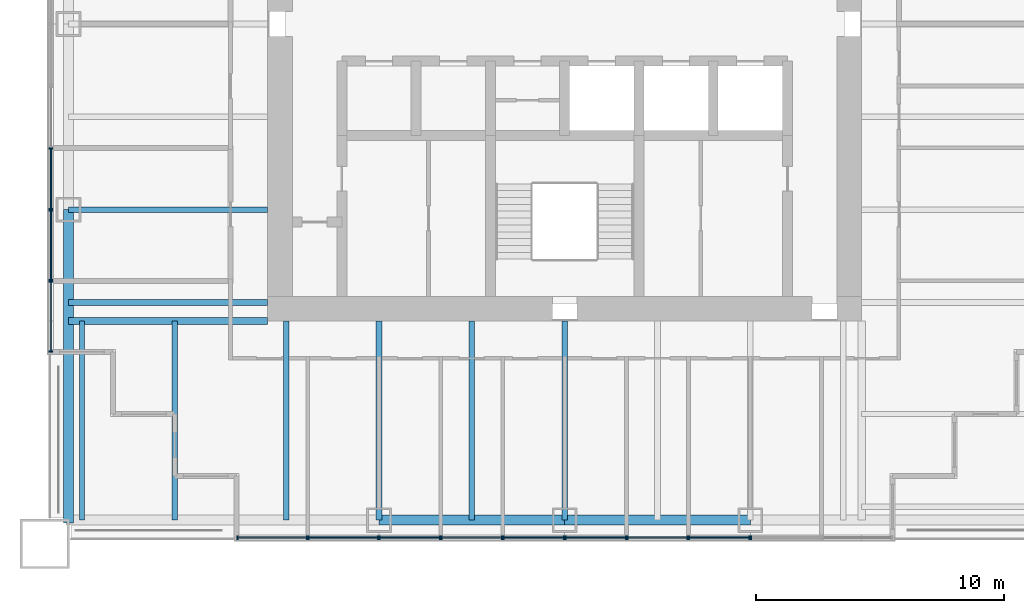
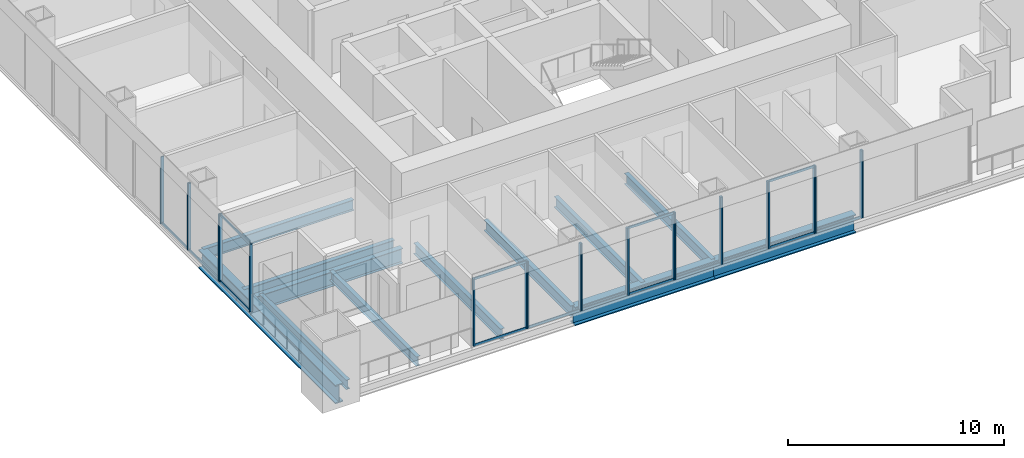
# One storey, part 2 of 15: 38 members, 12 beams, 12 elements without a shape of their own.
"""IFC4 building model written with IfcOpenShell, lengths in metres."""

import ifcopenshell
import ifcopenshell.guid

model = None  # the IFC model being written
_history = None  # IfcOwnerHistory: only IFC2X3 demands one
_inside = {}  # id of a spatial element -> (the spatial element, [elements in it])
_under = {}  # id of a project, library or spatial element -> (it, [spatial elements below it])
_declared = {}  # id of a project -> (the project, [libraries it declares])
_typed = {}  # id of a type object -> (the type object, [elements of that type])
_made_of = {}  # id of a material, layer set ... -> (it, [elements and type objects made of it])


def new_model(schema):
    """Start an empty IFC model of exactly this schema.

    Asked for "IFC4X3", IfcOpenShell would pick the latest addendum, in which some entities
    have other attributes; the version numbers below select the first issue.
    IFC2X3 requires an IfcOwnerHistory on every rooted entity: one is made here for all.
    """
    global model, _history
    if schema == "IFC4X3":
        model = ifcopenshell.file(schema_version=(4, 3, 0, 0))
    else:
        model = ifcopenshell.file(schema=schema)
    _inside.clear()
    _under.clear()
    _declared.clear()
    _typed.clear()
    _made_of.clear()
    _history = None
    if model.schema == "IFC2X3":
        org = make("IfcOrganization", Name="unknown")
        user = make(
            "IfcPersonAndOrganization",
            ThePerson=make("IfcPerson", FamilyName="unknown"),
            TheOrganization=org,
        )
        app = make(
            "IfcApplication",
            ApplicationDeveloper=org,
            Version="unknown",
            ApplicationFullName="unknown",
            ApplicationIdentifier="unknown",
        )
        _history = make(
            "IfcOwnerHistory",
            OwningUser=user,
            OwningApplication=app,
            ChangeAction="ADDED",
            CreationDate=0,
        )
    return model


def make(cls, **values):
    """One entity of the class cls with the attributes given. An attribute that is None is left unset."""
    return model.create_entity(
        cls, **{name: value for name, value in values.items() if value is not None}
    )


def rooted(cls, **values):
    """An entity with a GlobalId (a new one), such as an element, a storey or a relation."""
    return make(cls, GlobalId=ifcopenshell.guid.new(), OwnerHistory=_history, **values)


def si_unit(unit_type, name, prefix=None):
    """IfcSIUnit, for example si_unit("LENGTHUNIT", "METRE", prefix="MILLI")."""
    return make("IfcSIUnit", UnitType=unit_type, Prefix=prefix, Name=name)


def assignment(units):
    """IfcUnitAssignment: the units of a project."""
    return None if units is None else make("IfcUnitAssignment", Units=units)


def point(xyz):
    """IfcCartesianPoint."""
    return None if xyz is None else make("IfcCartesianPoint", Coordinates=xyz)


def direction(xyz):
    """IfcDirection."""
    return None if xyz is None else make("IfcDirection", DirectionRatios=xyz)


def frame(location, z_axis=None, x_axis=None):
    """IfcAxis2Placement3D, a coordinate frame: its origin and axes. An axis left out is left unset."""
    return make(
        "IfcAxis2Placement3D",
        Location=point(location),
        Axis=direction(z_axis),
        RefDirection=direction(x_axis),
    )


def frame_2d(location, x_axis=None):
    """IfcAxis2Placement2D, a coordinate frame in the plane: its origin and x axis."""
    return make(
        "IfcAxis2Placement2D", Location=point(location), RefDirection=direction(x_axis)
    )


def origin():
    """The frame at (0, 0, 0) with its axes left unset."""
    return frame((0.0, 0.0, 0.0))


def origin_2d():
    """The frame at (0, 0) in the plane with its x axis left unset."""
    return frame_2d((0.0, 0.0))


def place(relative_to, where):
    """IfcLocalPlacement: puts the frame where relative to a parent placement (None: the world)."""
    return make(
        "IfcLocalPlacement", PlacementRelTo=relative_to, RelativePlacement=where
    )


def context(
    kind, dimensions, precision=None, world=None, true_north=None, identifier=None
):
    """IfcGeometricRepresentationContext, for example the 3D "Model" context."""
    return make(
        "IfcGeometricRepresentationContext",
        ContextIdentifier=identifier,
        ContextType=kind,
        CoordinateSpaceDimension=dimensions,
        Precision=precision,
        WorldCoordinateSystem=world,
        TrueNorth=true_north,
    )


def subcontext(parent, identifier, kind, view, scale=None):
    """IfcGeometricRepresentationSubContext, for example "Body" below "Model"."""
    return make(
        "IfcGeometricRepresentationSubContext",
        ContextIdentifier=identifier,
        ContextType=kind,
        ParentContext=parent,
        TargetScale=scale,
        TargetView=view,
    )


def project(units=None, contexts=None):
    """IfcProject with its units and contexts."""
    return rooted(
        "IfcProject",
        Name="project",
        RepresentationContexts=contexts,
        UnitsInContext=assignment(units),
    )


def spatial(cls, under=None, at=None, **own):
    """A site, building, storey or space (cls), placed at a placement, below another one or the project."""
    s = rooted(cls, ObjectPlacement=at, **own)
    if under is not None:
        _under.setdefault(under.id(), (under, []))[1].append(s)
    return s


def profile(cls, at=None, kind="AREA", **sizes):
    """A parametric profile (cls). Its sizes go by their IFC names, for example OverallWidth=200.0."""
    return make(cls, ProfileType=kind, Position=at, **sizes)


def rectangle(**sizes):
    """IfcRectangleProfileDef."""
    return profile("IfcRectangleProfileDef", **sizes)


def i_section(**sizes):
    """IfcIShapeProfileDef."""
    return profile("IfcIShapeProfileDef", **sizes)


def extrude(swept, where, along, depth):
    """IfcExtrudedAreaSolid: the profile swept, set in the frame where, extruded along a direction by depth."""
    return make(
        "IfcExtrudedAreaSolid",
        SweptArea=swept,
        Position=where,
        ExtrudedDirection=direction(along),
        Depth=depth,
    )


def shape(context_of_items, identifier, shape_type, items):
    """IfcShapeRepresentation: the items that make up one representation, for example the "Body"."""
    return make(
        "IfcShapeRepresentation",
        ContextOfItems=context_of_items,
        RepresentationIdentifier=identifier,
        RepresentationType=shape_type,
        Items=items,
    )


def material(Name=None, Category=None):
    """IfcMaterial."""
    return make("IfcMaterial", Name=Name, Category=Category)


def material_profile(
    of_material, cross_section, Name=None, Category=None, Priority=None
):
    """IfcMaterialProfile: a cross section and its material."""
    return make(
        "IfcMaterialProfile",
        Name=Name,
        Material=of_material,
        Profile=cross_section,
        Priority=Priority,
        Category=Category,
    )


def profile_set(profiles, Name=None, composite=None):
    """IfcMaterialProfileSet."""
    return make(
        "IfcMaterialProfileSet",
        Name=Name,
        MaterialProfiles=profiles,
        CompositeProfile=composite,
    )


def made_of(thing, what):
    """Note that an element or type object is made of a material, layer set ...; save() writes the relation."""
    if what is not None:
        _made_of.setdefault(what.id(), (what, []))[1].append(thing)
    return thing


def type_object(cls, material=None, **own):
    """A type object (cls), such as IfcWallType, which elements share."""
    return made_of(rooted(cls, **own), material)


def element(
    cls,
    number,
    at=None,
    inside=None,
    cuts=None,
    type_object=None,
    material=None,
    context=None,
    identifier="Body",
    shape_type=None,
    held_by="IfcProductDefinitionShape",
    body=None,
    shapes=None,
    **own,
):
    """One element of the class cls, such as IfcWall. Its Tag is "e" and its number.

    at: its placement. inside: the storey or other place that contains it. cuts: it is an
    opening in that element (IfcRelVoidsElement). A single representation is given by context,
    identifier, shape_type and body (its items); several are given by shapes. held_by: the class
    of the entity that holds the representations. save() writes the other relations.
    """
    e = rooted(cls, Tag="e%d" % number, ObjectPlacement=at, **own)
    if body is not None:
        shapes = [shape(context, identifier, shape_type, body)]
    if shapes is not None:
        e.Representation = make(held_by, Representations=shapes)
    if inside is not None:
        _inside.setdefault(inside.id(), (inside, []))[1].append(e)
    if cuts is not None:
        rooted(
            "IfcRelVoidsElement", RelatingBuildingElement=cuts, RelatedOpeningElement=e
        )
    if type_object is not None:
        _typed.setdefault(type_object.id(), (type_object, []))[1].append(e)
    return made_of(e, material)


def aggregate(whole, parts):
    """IfcRelAggregates: a whole, such as a stair, and the parts it consists of."""
    return rooted("IfcRelAggregates", RelatingObject=whole, RelatedObjects=parts)


def save(model, path):
    """Write the relations noted so far, then the file.

    IfcRelAggregates (storeys below a building ...), IfcRelContainedInSpatialStructure (elements
    in a storey), IfcRelDefinesByType, IfcRelAssociatesMaterial and IfcRelDeclares: one each for
    every whole, place, type object, material and project.
    """
    for whole, parts in _under.values():
        aggregate(whole, parts)
    for where, things in _inside.values():
        rooted(
            "IfcRelContainedInSpatialStructure",
            RelatedElements=things,
            RelatingStructure=where,
        )
    for kind, things in _typed.values():
        rooted("IfcRelDefinesByType", RelatedObjects=things, RelatingType=kind)
    for what, things in _made_of.values():
        rooted("IfcRelAssociatesMaterial", RelatedObjects=things, RelatingMaterial=what)
    for by, libraries in _declared.values():
        rooted("IfcRelDeclares", RelatingContext=by, RelatedDefinitions=libraries)
    model.write(path)


model = new_model("IFC4")

# Units and contexts
model_context = context("Model", 3, precision=1e-05, world=origin(), true_north=direction((0.0, 1.0)))
body_context = subcontext(model_context, "Body", "Model", "MODEL_VIEW")
ifc_project = project(units=[si_unit("LENGTHUNIT", "METRE"), si_unit("AREAUNIT", "SQUARE_METRE"), si_unit("VOLUMEUNIT", "CUBIC_METRE"), si_unit("PLANEANGLEUNIT", "RADIAN"), si_unit("MASSUNIT", "GRAM", prefix="KILO")], contexts=[model_context])

# Site, building, storey
site_placement = place(None, origin())
site = spatial("IfcSite", under=ifc_project, at=site_placement, CompositionType="ELEMENT")
building_placement = place(site_placement, origin())
building = spatial("IfcBuilding", under=site, at=building_placement, Name="Tarangal Relay Tower", CompositionType="ELEMENT")
storey_placement = place(building_placement, frame((0.0, 0.0, 331.89990234375)))
storey = spatial("IfcBuildingStorey", under=building, at=storey_placement, Name="L74", CompositionType="ELEMENT", Elevation=331.89990234375)

# Beams
ifc_material_1 = material(Name="Steel ASTM A992", Category="steel")
ifc_material_profile_1 = material_profile(ifc_material_1, i_section(OverallWidth=0.209228515625, OverallDepth=0.533447265625, WebThickness=0.01025390625, FlangeThickness=0.015625, at=origin_2d()), Name="W21X62")
ifc_profile_set_1 = profile_set([ifc_material_profile_1], Name="Steel ASTM A992")
beam_type_1 = type_object("IfcBeamType", Name="Corner beam W21X62", PredefinedType="JOIST", material=ifc_profile_set_1)
for number, where, z_axis, x_axis, name in (
    (1, (-15.75, -12.0, -0.41650390625), (0.0, -1.0, 0.0), (1.0, 0.0, 0.0), "Corner beam CB12 S L74"),
    (2, (-19.5, -12.0, -0.41650390625), (0.0, -1.0, 0.0), (1.0, 0.0, 0.0), "Corner beam CB12 S L74"),
):
    element("IfcBeam", number, at=place(storey_placement, frame(where, z_axis=z_axis, x_axis=x_axis)), inside=storey, type_object=beam_type_1, Name=name, PredefinedType="JOIST", context=body_context, shape_type="SweptSolid", body=[
        extrude(i_section(OverallWidth=0.209228515625, OverallDepth=0.533447265625, WebThickness=0.01025390625, FlangeThickness=0.015625, at=origin_2d()), origin(), (0.0, 0.0, 1.0), 8.0400390625),
    ])
ifc_material_profile_2 = material_profile(ifc_material_1, i_section(OverallWidth=0.2919921875, OverallDepth=0.8408203125, WebThickness=0.0146484375, FlangeThickness=0.021728515625, at=origin_2d()), Name="W33X130")
ifc_profile_set_2 = profile_set([ifc_material_profile_2], Name="Steel ASTM A992")
beam_type_2 = type_object("IfcBeamType", Name="Corner girder W33X130", PredefinedType="BEAM", material=ifc_profile_set_2)
beam_1_placement = place(storey_placement, frame((-12.0, -12.0, -0.5703125), z_axis=(-1.0, 0.0, 0.0), x_axis=(0.0, -1.0, 0.0)))
element("IfcBeam", 3, at=beam_1_placement, inside=storey, type_object=beam_type_2, Name="Corner girder CG5 S L74", PredefinedType="BEAM", context=body_context, shape_type="SweptSolid", body=[
    extrude(i_section(OverallWidth=0.2919921875, OverallDepth=0.8408203125, WebThickness=0.0146484375, FlangeThickness=0.021728515625, at=origin_2d()), origin(), (0.0, 0.0, 1.0), 8.0400390625),
])
ifc_material_profile_3 = material_profile(ifc_material_1, i_section(OverallWidth=0.41162109375, OverallDepth=1.049072265625, WebThickness=0.033935546875, FlangeThickness=0.059814453125, at=origin_2d()), Name="W40X431")
ifc_profile_set_3 = profile_set([ifc_material_profile_3], Name="Steel ASTM A992")
beam_type_3 = type_object("IfcBeamType", Name="Edge girder W40X431", PredefinedType="SPANDREL", material=ifc_profile_set_3)
for number, where, z_axis, x_axis, name in (
    (4, (7.5, -20.0400390625, -0.67431640625), (-1.0, 0.0, 0.0), (0.0, -1.0, 0.0), "Edge girder EG1 S L74"),
    (5, (0.0, -20.0400390625, -0.67431640625), (-1.0, 0.0, 0.0), (0.0, -1.0, 0.0), "Edge girder EG1 S L74"),
):
    element("IfcBeam", number, at=place(storey_placement, frame(where, z_axis=z_axis, x_axis=x_axis)), inside=storey, type_object=beam_type_3, Name=name, PredefinedType="SPANDREL", context=body_context, shape_type="SweptSolid", body=[
        extrude(i_section(OverallWidth=0.41162109375, OverallDepth=1.049072265625, WebThickness=0.033935546875, FlangeThickness=0.059814453125, at=origin_2d()), origin(), (0.0, 0.0, 1.0), 7.5),
    ])
beam_2_placement = place(storey_placement, frame((-20.0400390625, -20.14990234375, -0.67431640625), z_axis=(0.0, 1.0, 0.0), x_axis=(-1.0, 0.0, 0.0)))
element("IfcBeam", 6, at=beam_2_placement, inside=storey, type_object=beam_type_3, Name="Edge girder EG1 W L74", PredefinedType="SPANDREL", context=body_context, shape_type="SweptSolid", body=[
    extrude(i_section(OverallWidth=0.41162109375, OverallDepth=1.049072265625, WebThickness=0.033935546875, FlangeThickness=0.059814453125, at=origin_2d()), origin(), (0.0, 0.0, 1.0), 12.64990234375),
])
ifc_material_profile_4 = material_profile(ifc_material_1, i_section(OverallWidth=0.228271484375, OverallDepth=0.607177734375, WebThickness=0.01123046875, FlangeThickness=0.017333984375, at=origin_2d()), Name="W24X76")
ifc_profile_set_4 = profile_set([ifc_material_profile_4], Name="Steel ASTM A992")
beam_type_4 = type_object("IfcBeamType", Name="Floor beam W24X76", PredefinedType="BEAM", material=ifc_profile_set_4)
for number, where, z_axis, x_axis, name in (
    (7, (0.0, -12.0, -0.453369140625), (0.0, -1.0, 0.0), (1.0, 0.0, 0.0), "Floor beam RB5 S L74"),
    (8, (-3.75, -12.0, -0.453369140625), (0.0, -1.0, 0.0), (1.0, 0.0, 0.0), "Floor beam RB5 S L74"),
    (9, (-7.5, -12.0, -0.453369140625), (0.0, -1.0, 0.0), (1.0, 0.0, 0.0), "Floor beam RB5 S L74"),
    (10, (-11.25, -12.0, -0.453369140625), (0.0, -1.0, 0.0), (1.0, 0.0, 0.0), "Floor beam RB5 S L74"),
    (11, (-12.0, -11.25, -0.453369140625), (-1.0, 0.0, 0.0), (0.0, -1.0, 0.0), "Floor beam RB5 W L74"),
    (12, (-12.0, -7.5, -0.453369140625), (-1.0, 0.0, 0.0), (0.0, -1.0, 0.0), "Floor beam RB5 W L74"),
):
    element("IfcBeam", number, at=place(storey_placement, frame(where, z_axis=z_axis, x_axis=x_axis)), inside=storey, type_object=beam_type_4, Name=name, PredefinedType="BEAM", context=body_context, shape_type="SweptSolid", body=[
        extrude(i_section(OverallWidth=0.228271484375, OverallDepth=0.607177734375, WebThickness=0.01123046875, FlangeThickness=0.017333984375, at=origin_2d()), origin(), (0.0, 0.0, 1.0), 8.0400390625),
    ])

# Curtain wall, members
ifc_material_2 = material(Name="Unitised curtain wall, dark glass and black aluminium", Category="aluminium")
curtain_wall_type_1 = type_object("IfcCurtainWallType", Name="Curtain wall CW-B", PredefinedType="USERDEFINED", material=ifc_material_2)
curtain_wall_1_placement = place(storey_placement, origin())
curtain_wall_1 = element("IfcCurtainWall", 13, at=curtain_wall_1_placement, inside=storey, type_object=curtain_wall_type_1, Name="Curtain wall CW-B S facade L74", ObjectType="UNITISED CURTAIN WALL", PredefinedType="USERDEFINED")
ifc_material_3 = material(Name="Black anodised aluminium mullion", Category="aluminium")
ifc_material_profile_5 = material_profile(ifc_material_3, rectangle(XDim=0.159912109375, YDim=0.06005859375, at=origin_2d()), Name="CW-BM 60X160")
ifc_profile_set_5 = profile_set([ifc_material_profile_5], Name="Black anodised aluminium mullion")
member_type_1 = type_object("IfcMemberType", Name="Mullion CW-B 60 x 160", PredefinedType="MULLION", material=ifc_profile_set_5)
member_1_placement = place(storey_placement, frame((4.969970703125, -20.75, 0.0), z_axis=(0.0, 0.0, 1.0), x_axis=(0.0, -1.0, 0.0)))
member_1 = element("IfcMember", 14, at=member_1_placement, type_object=member_type_1, Name="CW-B mullion 1", PredefinedType="MULLION", context=body_context, shape_type="SweptSolid", body=[
    extrude(rectangle(XDim=0.159912109375, YDim=0.06005859375, at=origin_2d()), origin(), (0.0, 0.0, 1.0), 3.800048828125),
])
member_2_placement = place(storey_placement, frame((2.530029296875, -20.75, 0.0), z_axis=(0.0, 0.0, 1.0), x_axis=(0.0, -1.0, 0.0)))
member_2 = element("IfcMember", 15, at=member_2_placement, type_object=member_type_1, Name="CW-B mullion 2", PredefinedType="MULLION", context=body_context, shape_type="SweptSolid", body=[
    extrude(rectangle(XDim=0.159912109375, YDim=0.06005859375, at=origin_2d()), origin(), (0.0, 0.0, 1.0), 3.800048828125),
])

curtain_wall_2_placement = place(storey_placement, origin())
curtain_wall_2 = element("IfcCurtainWall", 16, at=curtain_wall_2_placement, inside=storey, type_object=curtain_wall_type_1, Name="Curtain wall CW-B S facade L74", ObjectType="UNITISED CURTAIN WALL", PredefinedType="USERDEFINED")
member_3_placement = place(storey_placement, frame((-2.530029296875, -20.75, 0.0), z_axis=(0.0, 0.0, 1.0), x_axis=(0.0, -1.0, 0.0)))
member_3 = element("IfcMember", 17, at=member_3_placement, type_object=member_type_1, Name="CW-B mullion 1", PredefinedType="MULLION", context=body_context, shape_type="SweptSolid", body=[
    extrude(rectangle(XDim=0.159912109375, YDim=0.06005859375, at=origin_2d()), origin(), (0.0, 0.0, 1.0), 3.800048828125),
])
member_4_placement = place(storey_placement, frame((-4.969970703125, -20.75, 0.0), z_axis=(0.0, 0.0, 1.0), x_axis=(0.0, -1.0, 0.0)))
member_4 = element("IfcMember", 18, at=member_4_placement, type_object=member_type_1, Name="CW-B mullion 2", PredefinedType="MULLION", context=body_context, shape_type="SweptSolid", body=[
    extrude(rectangle(XDim=0.159912109375, YDim=0.06005859375, at=origin_2d()), origin(), (0.0, 0.0, 1.0), 3.800048828125),
])

curtain_wall_3_placement = place(storey_placement, origin())
curtain_wall_3 = element("IfcCurtainWall", 19, at=curtain_wall_3_placement, inside=storey, type_object=curtain_wall_type_1, Name="Curtain wall CW-B S facade L74", ObjectType="UNITISED CURTAIN WALL", PredefinedType="USERDEFINED")
member_5_placement = place(storey_placement, frame((-10.405029296875, -20.75, 0.0), z_axis=(0.0, 0.0, 1.0), x_axis=(0.0, -1.0, 0.0)))
member_5 = element("IfcMember", 20, at=member_5_placement, type_object=member_type_1, Name="CW-B mullion 1", PredefinedType="MULLION", context=body_context, shape_type="SweptSolid", body=[
    extrude(rectangle(XDim=0.159912109375, YDim=0.06005859375, at=origin_2d()), origin(), (0.0, 0.0, 1.0), 3.800048828125),
])
member_6_placement = place(storey_placement, frame((-13.219970703125, -20.75, 0.0), z_axis=(0.0, 0.0, 1.0), x_axis=(0.0, -1.0, 0.0)))
member_6 = element("IfcMember", 21, at=member_6_placement, type_object=member_type_1, Name="CW-B mullion 2", PredefinedType="MULLION", context=body_context, shape_type="SweptSolid", body=[
    extrude(rectangle(XDim=0.159912109375, YDim=0.06005859375, at=origin_2d()), origin(), (0.0, 0.0, 1.0), 3.800048828125),
])

curtain_wall_4_placement = place(storey_placement, origin())
curtain_wall_4 = element("IfcCurtainWall", 22, at=curtain_wall_4_placement, inside=storey, type_object=curtain_wall_type_1, Name="Curtain wall CW-B W facade L74", ObjectType="UNITISED CURTAIN WALL", PredefinedType="USERDEFINED")
member_7_placement = place(storey_placement, frame((-20.75, -13.219970703125, 0.0), z_axis=(0.0, 0.0, 1.0), x_axis=(-1.0, 0.0, 0.0)))
member_7 = element("IfcMember", 23, at=member_7_placement, type_object=member_type_1, Name="CW-B mullion 1", PredefinedType="MULLION", context=body_context, shape_type="SweptSolid", body=[
    extrude(rectangle(XDim=0.159912109375, YDim=0.06005859375, at=origin_2d()), origin(), (0.0, 0.0, 1.0), 3.800048828125),
])
member_8_placement = place(storey_placement, frame((-20.75, -10.405029296875, 0.0), z_axis=(0.0, 0.0, 1.0), x_axis=(-1.0, 0.0, 0.0)))
member_8 = element("IfcMember", 24, at=member_8_placement, type_object=member_type_1, Name="CW-B mullion 2", PredefinedType="MULLION", context=body_context, shape_type="SweptSolid", body=[
    extrude(rectangle(XDim=0.159912109375, YDim=0.06005859375, at=origin_2d()), origin(), (0.0, 0.0, 1.0), 3.800048828125),
])

# Curtain wall, member
ifc_material_4 = material(Name="Unitised curtain wall frame, black aluminium, with metal clad infill walls", Category="aluminium")
curtain_wall_type_2 = type_object("IfcCurtainWallType", Name="Curtain wall CW-BO", PredefinedType="USERDEFINED", material=ifc_material_4)
curtain_wall_5_placement = place(storey_placement, origin())
curtain_wall_5 = element("IfcCurtainWall", 25, at=curtain_wall_5_placement, inside=storey, type_object=curtain_wall_type_2, Name="Curtain wall CW-BO S facade L74", ObjectType="UNITISED CURTAIN WALL", PredefinedType="USERDEFINED")
ifc_material_profile_6 = material_profile(ifc_material_3, rectangle(XDim=0.159912109375, YDim=0.06005859375, at=origin_2d()), Name="CW-BOM 60X160")
ifc_profile_set_6 = profile_set([ifc_material_profile_6], Name="Black anodised aluminium mullion")
member_type_2 = type_object("IfcMemberType", Name="Mullion CW-BO 60 x 160", PredefinedType="MULLION", material=ifc_profile_set_6)
member_9_placement = place(storey_placement, frame((7.530029296875, -20.75, 0.0), z_axis=(0.0, 0.0, 1.0), x_axis=(0.0, -1.0, 0.0)))
member_9 = element("IfcMember", 26, at=member_9_placement, type_object=member_type_2, Name="CW-BO mullion 2", PredefinedType="MULLION", context=body_context, shape_type="SweptSolid", body=[
    extrude(rectangle(XDim=0.159912109375, YDim=0.06005859375, at=origin_2d()), origin(), (0.0, 0.0, 1.0), 3.800048828125),
])
aggregate(curtain_wall_5, [member_9])

# Curtain wall, members
curtain_wall_6_placement = place(storey_placement, origin())
curtain_wall_6 = element("IfcCurtainWall", 27, at=curtain_wall_6_placement, inside=storey, type_object=curtain_wall_type_2, Name="Curtain wall CW-BO S facade L74", ObjectType="UNITISED CURTAIN WALL", PredefinedType="USERDEFINED")
member_10_placement = place(storey_placement, frame((7.469970703125, -20.75, 0.0), z_axis=(0.0, 0.0, 1.0), x_axis=(0.0, -1.0, 0.0)))
member_10 = element("IfcMember", 28, at=member_10_placement, type_object=member_type_2, Name="CW-BO mullion 1", PredefinedType="MULLION", context=body_context, shape_type="SweptSolid", body=[
    extrude(rectangle(XDim=0.159912109375, YDim=0.06005859375, at=origin_2d()), origin(), (0.0, 0.0, 1.0), 3.800048828125),
])
member_11_placement = place(storey_placement, frame((5.030029296875, -20.75, 0.0), z_axis=(0.0, 0.0, 1.0), x_axis=(0.0, -1.0, 0.0)))
member_11 = element("IfcMember", 29, at=member_11_placement, type_object=member_type_2, Name="CW-BO mullion 2", PredefinedType="MULLION", context=body_context, shape_type="SweptSolid", body=[
    extrude(rectangle(XDim=0.159912109375, YDim=0.06005859375, at=origin_2d()), origin(), (0.0, 0.0, 1.0), 3.800048828125),
])

curtain_wall_7_placement = place(storey_placement, origin())
curtain_wall_7 = element("IfcCurtainWall", 30, at=curtain_wall_7_placement, inside=storey, type_object=curtain_wall_type_2, Name="Curtain wall CW-BO S facade L74", ObjectType="UNITISED CURTAIN WALL", PredefinedType="USERDEFINED")
member_12_placement = place(storey_placement, frame((2.469970703125, -20.75, 0.0), z_axis=(0.0, 0.0, 1.0), x_axis=(0.0, -1.0, 0.0)))
member_12 = element("IfcMember", 31, at=member_12_placement, type_object=member_type_2, Name="CW-BO mullion 1", PredefinedType="MULLION", context=body_context, shape_type="SweptSolid", body=[
    extrude(rectangle(XDim=0.159912109375, YDim=0.06005859375, at=origin_2d()), origin(), (0.0, 0.0, 1.0), 3.800048828125),
])
member_13_placement = place(storey_placement, frame((0.030029296875, -20.75, 0.0), z_axis=(0.0, 0.0, 1.0), x_axis=(0.0, -1.0, 0.0)))
member_13 = element("IfcMember", 32, at=member_13_placement, type_object=member_type_2, Name="CW-BO mullion 2", PredefinedType="MULLION", context=body_context, shape_type="SweptSolid", body=[
    extrude(rectangle(XDim=0.159912109375, YDim=0.06005859375, at=origin_2d()), origin(), (0.0, 0.0, 1.0), 3.800048828125),
])

curtain_wall_8_placement = place(storey_placement, origin())
curtain_wall_8 = element("IfcCurtainWall", 33, at=curtain_wall_8_placement, inside=storey, type_object=curtain_wall_type_2, Name="Curtain wall CW-BO S facade L74", ObjectType="UNITISED CURTAIN WALL", PredefinedType="USERDEFINED")
member_14_placement = place(storey_placement, frame((-0.030029296875, -20.75, 0.0), z_axis=(0.0, 0.0, 1.0), x_axis=(0.0, -1.0, 0.0)))
member_14 = element("IfcMember", 34, at=member_14_placement, type_object=member_type_2, Name="CW-BO mullion 1", PredefinedType="MULLION", context=body_context, shape_type="SweptSolid", body=[
    extrude(rectangle(XDim=0.159912109375, YDim=0.06005859375, at=origin_2d()), origin(), (0.0, 0.0, 1.0), 3.800048828125),
])
member_15_placement = place(storey_placement, frame((-2.469970703125, -20.75, 0.0), z_axis=(0.0, 0.0, 1.0), x_axis=(0.0, -1.0, 0.0)))
member_15 = element("IfcMember", 35, at=member_15_placement, type_object=member_type_2, Name="CW-BO mullion 2", PredefinedType="MULLION", context=body_context, shape_type="SweptSolid", body=[
    extrude(rectangle(XDim=0.159912109375, YDim=0.06005859375, at=origin_2d()), origin(), (0.0, 0.0, 1.0), 3.800048828125),
])

curtain_wall_9_placement = place(storey_placement, origin())
curtain_wall_9 = element("IfcCurtainWall", 36, at=curtain_wall_9_placement, inside=storey, type_object=curtain_wall_type_2, Name="Curtain wall CW-BO S facade L74", ObjectType="UNITISED CURTAIN WALL", PredefinedType="USERDEFINED")
member_16_placement = place(storey_placement, frame((-5.030029296875, -20.75, 0.0), z_axis=(0.0, 0.0, 1.0), x_axis=(0.0, -1.0, 0.0)))
member_16 = element("IfcMember", 37, at=member_16_placement, type_object=member_type_2, Name="CW-BO mullion 1", PredefinedType="MULLION", context=body_context, shape_type="SweptSolid", body=[
    extrude(rectangle(XDim=0.159912109375, YDim=0.06005859375, at=origin_2d()), origin(), (0.0, 0.0, 1.0), 3.800048828125),
])
member_17_placement = place(storey_placement, frame((-7.469970703125, -20.75, 0.0), z_axis=(0.0, 0.0, 1.0), x_axis=(0.0, -1.0, 0.0)))
member_17 = element("IfcMember", 38, at=member_17_placement, type_object=member_type_2, Name="CW-BO mullion 2", PredefinedType="MULLION", context=body_context, shape_type="SweptSolid", body=[
    extrude(rectangle(XDim=0.159912109375, YDim=0.06005859375, at=origin_2d()), origin(), (0.0, 0.0, 1.0), 3.800048828125),
])

curtain_wall_10_placement = place(storey_placement, origin())
curtain_wall_10 = element("IfcCurtainWall", 39, at=curtain_wall_10_placement, inside=storey, type_object=curtain_wall_type_2, Name="Curtain wall CW-BO S facade L74", ObjectType="UNITISED CURTAIN WALL", PredefinedType="USERDEFINED")
member_18_placement = place(storey_placement, frame((-7.530029296875, -20.75, 0.0), z_axis=(0.0, 0.0, 1.0), x_axis=(0.0, -1.0, 0.0)))
member_18 = element("IfcMember", 40, at=member_18_placement, type_object=member_type_2, Name="CW-BO mullion 1", PredefinedType="MULLION", context=body_context, shape_type="SweptSolid", body=[
    extrude(rectangle(XDim=0.159912109375, YDim=0.06005859375, at=origin_2d()), origin(), (0.0, 0.0, 1.0), 3.800048828125),
])
member_19_placement = place(storey_placement, frame((-10.344970703125, -20.75, 0.0), z_axis=(0.0, 0.0, 1.0), x_axis=(0.0, -1.0, 0.0)))
member_19 = element("IfcMember", 41, at=member_19_placement, type_object=member_type_2, Name="CW-BO mullion 2", PredefinedType="MULLION", context=body_context, shape_type="SweptSolid", body=[
    extrude(rectangle(XDim=0.159912109375, YDim=0.06005859375, at=origin_2d()), origin(), (0.0, 0.0, 1.0), 3.800048828125),
])

curtain_wall_11_placement = place(storey_placement, origin())
curtain_wall_11 = element("IfcCurtainWall", 42, at=curtain_wall_11_placement, inside=storey, type_object=curtain_wall_type_2, Name="Curtain wall CW-BO W facade L74", ObjectType="UNITISED CURTAIN WALL", PredefinedType="USERDEFINED")
member_20_placement = place(storey_placement, frame((-20.75, -10.344970703125, 0.0), z_axis=(0.0, 0.0, 1.0), x_axis=(-1.0, 0.0, 0.0)))
member_20 = element("IfcMember", 43, at=member_20_placement, type_object=member_type_2, Name="CW-BO mullion 1", PredefinedType="MULLION", context=body_context, shape_type="SweptSolid", body=[
    extrude(rectangle(XDim=0.159912109375, YDim=0.06005859375, at=origin_2d()), origin(), (0.0, 0.0, 1.0), 3.800048828125),
])
member_21_placement = place(storey_placement, frame((-20.75, -7.530029296875, 0.0), z_axis=(0.0, 0.0, 1.0), x_axis=(-1.0, 0.0, 0.0)))
member_21 = element("IfcMember", 44, at=member_21_placement, type_object=member_type_2, Name="CW-BO mullion 2", PredefinedType="MULLION", context=body_context, shape_type="SweptSolid", body=[
    extrude(rectangle(XDim=0.159912109375, YDim=0.06005859375, at=origin_2d()), origin(), (0.0, 0.0, 1.0), 3.800048828125),
])

curtain_wall_12_placement = place(storey_placement, origin())
curtain_wall_12 = element("IfcCurtainWall", 45, at=curtain_wall_12_placement, inside=storey, type_object=curtain_wall_type_2, Name="Curtain wall CW-BO W facade L74", ObjectType="UNITISED CURTAIN WALL", PredefinedType="USERDEFINED")
member_22_placement = place(storey_placement, frame((-20.75, -7.469970703125, 0.0), z_axis=(0.0, 0.0, 1.0), x_axis=(-1.0, 0.0, 0.0)))
member_22 = element("IfcMember", 46, at=member_22_placement, type_object=member_type_2, Name="CW-BO mullion 1", PredefinedType="MULLION", context=body_context, shape_type="SweptSolid", body=[
    extrude(rectangle(XDim=0.159912109375, YDim=0.06005859375, at=origin_2d()), origin(), (0.0, 0.0, 1.0), 3.800048828125),
])
member_23_placement = place(storey_placement, frame((-20.75, -5.030029296875, 0.0), z_axis=(0.0, 0.0, 1.0), x_axis=(-1.0, 0.0, 0.0)))
member_23 = element("IfcMember", 47, at=member_23_placement, type_object=member_type_2, Name="CW-BO mullion 2", PredefinedType="MULLION", context=body_context, shape_type="SweptSolid", body=[
    extrude(rectangle(XDim=0.159912109375, YDim=0.06005859375, at=origin_2d()), origin(), (0.0, 0.0, 1.0), 3.800048828125),
])

# Member
ifc_material_5 = material(Name="Black anodised aluminium transom", Category="aluminium")
ifc_material_profile_7 = material_profile(ifc_material_5, rectangle(XDim=0.06005859375, YDim=0.1298828125, at=origin_2d()), Name="CW-BT 60X130")
ifc_profile_set_7 = profile_set([ifc_material_profile_7], Name="Black anodised aluminium transom")
member_type_3 = type_object("IfcMemberType", Name="Transom CW-B 60 x 130", PredefinedType="USERDEFINED", material=ifc_profile_set_7)
member_24_placement = place(storey_placement, frame((4.93994140625, -20.75, 0.030029296875), z_axis=(-1.0, 0.0, 0.0), x_axis=(0.0, -1.0, 0.0)))
member_24 = element("IfcMember", 48, at=member_24_placement, type_object=member_type_3, Name="CW-B transom 1.1", ObjectType="TRANSOM", PredefinedType="USERDEFINED", context=body_context, shape_type="SweptSolid", body=[
    extrude(rectangle(XDim=0.06005859375, YDim=0.1298828125, at=origin_2d()), origin(), (0.0, 0.0, 1.0), 2.3798828125),
])

member_25_placement = place(storey_placement, frame((4.93994140625, -20.75, 3.77001953125), z_axis=(-1.0, 0.0, 0.0), x_axis=(0.0, -1.0, 0.0)))
member_25 = element("IfcMember", 49, at=member_25_placement, type_object=member_type_3, Name="CW-B transom 1.2", ObjectType="TRANSOM", PredefinedType="USERDEFINED", context=body_context, shape_type="SweptSolid", body=[
    extrude(rectangle(XDim=0.06005859375, YDim=0.1298828125, at=origin_2d()), origin(), (0.0, 0.0, 1.0), 2.3798828125),
])

aggregate(curtain_wall_1, [member_1, member_2, member_24, member_25])

member_26_placement = place(storey_placement, frame((-2.56005859375, -20.75, 0.030029296875), z_axis=(-1.0, 0.0, 0.0), x_axis=(0.0, -1.0, 0.0)))
member_26 = element("IfcMember", 50, at=member_26_placement, type_object=member_type_3, Name="CW-B transom 1.1", ObjectType="TRANSOM", PredefinedType="USERDEFINED", context=body_context, shape_type="SweptSolid", body=[
    extrude(rectangle(XDim=0.06005859375, YDim=0.1298828125, at=origin_2d()), origin(), (0.0, 0.0, 1.0), 2.3798828125),
])

member_27_placement = place(storey_placement, frame((-2.56005859375, -20.75, 3.77001953125), z_axis=(-1.0, 0.0, 0.0), x_axis=(0.0, -1.0, 0.0)))
member_27 = element("IfcMember", 51, at=member_27_placement, type_object=member_type_3, Name="CW-B transom 1.2", ObjectType="TRANSOM", PredefinedType="USERDEFINED", context=body_context, shape_type="SweptSolid", body=[
    extrude(rectangle(XDim=0.06005859375, YDim=0.1298828125, at=origin_2d()), origin(), (0.0, 0.0, 1.0), 2.3798828125),
])

aggregate(curtain_wall_2, [member_3, member_4, member_26, member_27])

member_28_placement = place(storey_placement, frame((-10.43505859375, -20.75, 0.030029296875), z_axis=(-1.0, 0.0, 0.0), x_axis=(0.0, -1.0, 0.0)))
member_28 = element("IfcMember", 52, at=member_28_placement, type_object=member_type_3, Name="CW-B transom 1.1", ObjectType="TRANSOM", PredefinedType="USERDEFINED", context=body_context, shape_type="SweptSolid", body=[
    extrude(rectangle(XDim=0.06005859375, YDim=0.1298828125, at=origin_2d()), origin(), (0.0, 0.0, 1.0), 2.7548828125),
])

member_29_placement = place(storey_placement, frame((-10.43505859375, -20.75, 3.77001953125), z_axis=(-1.0, 0.0, 0.0), x_axis=(0.0, -1.0, 0.0)))
member_29 = element("IfcMember", 53, at=member_29_placement, type_object=member_type_3, Name="CW-B transom 1.2", ObjectType="TRANSOM", PredefinedType="USERDEFINED", context=body_context, shape_type="SweptSolid", body=[
    extrude(rectangle(XDim=0.06005859375, YDim=0.1298828125, at=origin_2d()), origin(), (0.0, 0.0, 1.0), 2.7548828125),
])

aggregate(curtain_wall_3, [member_5, member_6, member_28, member_29])

member_30_placement = place(storey_placement, frame((-20.75, -13.18994140625, 0.030029296875), z_axis=(0.0, 1.0, 0.0), x_axis=(-1.0, 0.0, 0.0)))
member_30 = element("IfcMember", 54, at=member_30_placement, type_object=member_type_3, Name="CW-B transom 1.1", ObjectType="TRANSOM", PredefinedType="USERDEFINED", context=body_context, shape_type="SweptSolid", body=[
    extrude(rectangle(XDim=0.06005859375, YDim=0.1298828125, at=origin_2d()), origin(), (0.0, 0.0, 1.0), 2.7548828125),
])

member_31_placement = place(storey_placement, frame((-20.75, -13.18994140625, 3.77001953125), z_axis=(0.0, 1.0, 0.0), x_axis=(-1.0, 0.0, 0.0)))
member_31 = element("IfcMember", 55, at=member_31_placement, type_object=member_type_3, Name="CW-B transom 1.2", ObjectType="TRANSOM", PredefinedType="USERDEFINED", context=body_context, shape_type="SweptSolid", body=[
    extrude(rectangle(XDim=0.06005859375, YDim=0.1298828125, at=origin_2d()), origin(), (0.0, 0.0, 1.0), 2.7548828125),
])

aggregate(curtain_wall_4, [member_7, member_8, member_30, member_31])

ifc_material_profile_8 = material_profile(ifc_material_5, rectangle(XDim=0.06005859375, YDim=0.1298828125, at=origin_2d()), Name="CW-BOT 60X130")
ifc_profile_set_8 = profile_set([ifc_material_profile_8], Name="Black anodised aluminium transom")
member_type_4 = type_object("IfcMemberType", Name="Transom CW-BO 60 x 130", PredefinedType="USERDEFINED", material=ifc_profile_set_8)
member_32_placement = place(storey_placement, frame((7.43994140625, -20.75, 0.030029296875), z_axis=(-1.0, 0.0, 0.0), x_axis=(0.0, -1.0, 0.0)))
member_32 = element("IfcMember", 56, at=member_32_placement, type_object=member_type_4, Name="CW-BO transom 1.1", ObjectType="TRANSOM", PredefinedType="USERDEFINED", context=body_context, shape_type="SweptSolid", body=[
    extrude(rectangle(XDim=0.06005859375, YDim=0.1298828125, at=origin_2d()), origin(), (0.0, 0.0, 1.0), 2.3798828125),
])

aggregate(curtain_wall_6, [member_10, member_11, member_32])

member_33_placement = place(storey_placement, frame((2.43994140625, -20.75, 0.030029296875), z_axis=(-1.0, 0.0, 0.0), x_axis=(0.0, -1.0, 0.0)))
member_33 = element("IfcMember", 57, at=member_33_placement, type_object=member_type_4, Name="CW-BO transom 1.1", ObjectType="TRANSOM", PredefinedType="USERDEFINED", context=body_context, shape_type="SweptSolid", body=[
    extrude(rectangle(XDim=0.06005859375, YDim=0.1298828125, at=origin_2d()), origin(), (0.0, 0.0, 1.0), 2.3798828125),
])

aggregate(curtain_wall_7, [member_12, member_13, member_33])

member_34_placement = place(storey_placement, frame((-0.06005859375, -20.75, 0.030029296875), z_axis=(-1.0, 0.0, 0.0), x_axis=(0.0, -1.0, 0.0)))
member_34 = element("IfcMember", 58, at=member_34_placement, type_object=member_type_4, Name="CW-BO transom 1.1", ObjectType="TRANSOM", PredefinedType="USERDEFINED", context=body_context, shape_type="SweptSolid", body=[
    extrude(rectangle(XDim=0.06005859375, YDim=0.1298828125, at=origin_2d()), origin(), (0.0, 0.0, 1.0), 2.3798828125),
])

aggregate(curtain_wall_8, [member_14, member_15, member_34])

member_35_placement = place(storey_placement, frame((-5.06005859375, -20.75, 0.030029296875), z_axis=(-1.0, 0.0, 0.0), x_axis=(0.0, -1.0, 0.0)))
member_35 = element("IfcMember", 59, at=member_35_placement, type_object=member_type_4, Name="CW-BO transom 1.1", ObjectType="TRANSOM", PredefinedType="USERDEFINED", context=body_context, shape_type="SweptSolid", body=[
    extrude(rectangle(XDim=0.06005859375, YDim=0.1298828125, at=origin_2d()), origin(), (0.0, 0.0, 1.0), 2.3798828125),
])

aggregate(curtain_wall_9, [member_16, member_17, member_35])

member_36_placement = place(storey_placement, frame((-7.56005859375, -20.75, 0.030029296875), z_axis=(-1.0, 0.0, 0.0), x_axis=(0.0, -1.0, 0.0)))
member_36 = element("IfcMember", 60, at=member_36_placement, type_object=member_type_4, Name="CW-BO transom 1.1", ObjectType="TRANSOM", PredefinedType="USERDEFINED", context=body_context, shape_type="SweptSolid", body=[
    extrude(rectangle(XDim=0.06005859375, YDim=0.1298828125, at=origin_2d()), origin(), (0.0, 0.0, 1.0), 2.7548828125),
])

aggregate(curtain_wall_10, [member_18, member_19, member_36])

member_37_placement = place(storey_placement, frame((-20.75, -10.31494140625, 0.030029296875), z_axis=(0.0, 1.0, 0.0), x_axis=(-1.0, 0.0, 0.0)))
member_37 = element("IfcMember", 61, at=member_37_placement, type_object=member_type_4, Name="CW-BO transom 1.1", ObjectType="TRANSOM", PredefinedType="USERDEFINED", context=body_context, shape_type="SweptSolid", body=[
    extrude(rectangle(XDim=0.06005859375, YDim=0.1298828125, at=origin_2d()), origin(), (0.0, 0.0, 1.0), 2.7548828125),
])

aggregate(curtain_wall_11, [member_20, member_21, member_37])

member_38_placement = place(storey_placement, frame((-20.75, -7.43994140625, 0.030029296875), z_axis=(0.0, 1.0, 0.0), x_axis=(-1.0, 0.0, 0.0)))
member_38 = element("IfcMember", 62, at=member_38_placement, type_object=member_type_4, Name="CW-BO transom 1.1", ObjectType="TRANSOM", PredefinedType="USERDEFINED", context=body_context, shape_type="SweptSolid", body=[
    extrude(rectangle(XDim=0.06005859375, YDim=0.1298828125, at=origin_2d()), origin(), (0.0, 0.0, 1.0), 2.3798828125),
])

aggregate(curtain_wall_12, [member_22, member_23, member_38])

save(model, "model.ifc")
